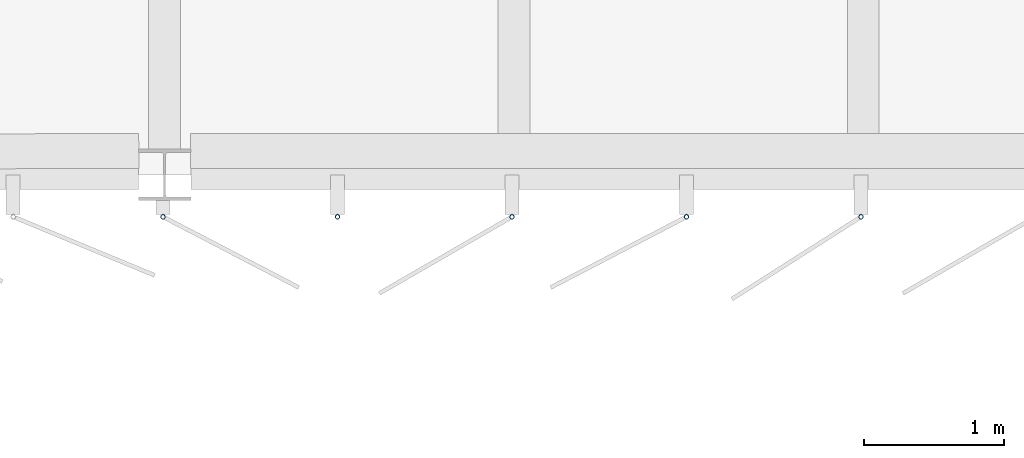
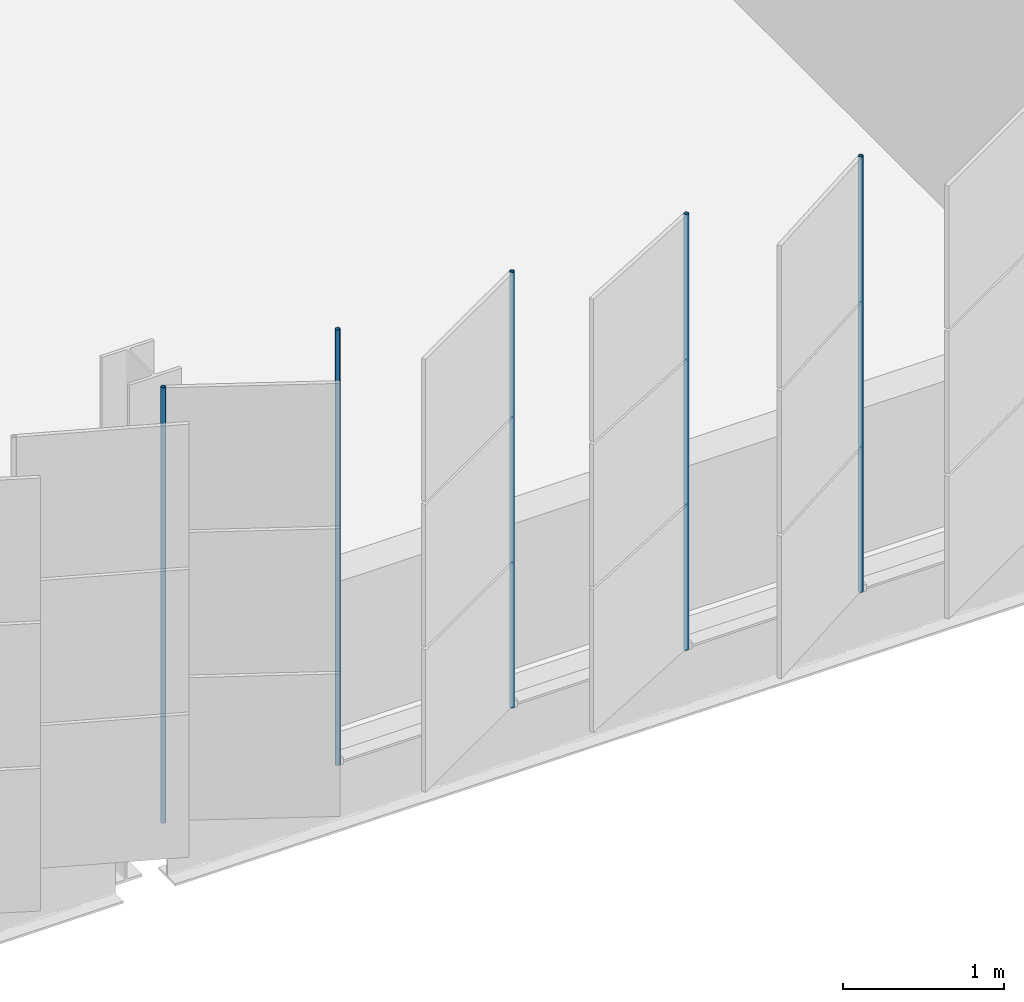
# One storey, part 77 of 199: 5 discrete accessories.
"""IFC4 building model written with IfcOpenShell, lengths in metres."""

from ifc_helpers import new_model, si_unit, direction, frame, origin, origin_2d, place, context, subcontext, project, spatial, hollow_circle, extrude, material, material_profile, profile_set, type_object, element, save


model = new_model("IFC4")

# Units and contexts
model_context = context("Model", 3, precision=1e-05, world=origin(), true_north=direction((0.0, 1.0)))
body_context = subcontext(model_context, "Body", "Model", "MODEL_VIEW")
ifc_project = project(units=[si_unit("LENGTHUNIT", "METRE"), si_unit("AREAUNIT", "SQUARE_METRE"), si_unit("VOLUMEUNIT", "CUBIC_METRE"), si_unit("PLANEANGLEUNIT", "RADIAN"), si_unit("MASSUNIT", "GRAM", prefix="KILO")], contexts=[model_context])

# Site, building, storey
site_placement = place(None, origin())
site = spatial("IfcSite", under=ifc_project, at=site_placement, CompositionType="ELEMENT")
building_placement = place(site_placement, origin())
building = spatial("IfcBuilding", under=site, at=building_placement, Name="Parallax Yard Mobility Hub", CompositionType="ELEMENT")
storey_placement = place(building_placement, frame((0.0, 0.0, 9.89990234375)))
storey = spatial("IfcBuildingStorey", under=building, at=storey_placement, Name="L03", CompositionType="ELEMENT", Elevation=9.89990234375)

# Discrete accessories
ifc_material = material(Name="Steel ASTM A500 Gr C, hot-dip galvanised", Category="steel")
ifc_material_profile = material_profile(ifc_material, hollow_circle(Radius=0.016845703125, WallThickness=0.003173828125, at=origin_2d()), Name="CHS 33.7x3.2")
ifc_profile_set = profile_set([ifc_material_profile], Name="Steel ASTM A500 Gr C, hot-dip galvanised")
discrete_accessory_type = type_object("IfcDiscreteAccessoryType", Name="Hinge post CHS 33.7x3.2", PredefinedType="BRACKET", material=ifc_profile_set)
for number, where, z_axis, x_axis, name in (
    (1, (59.9873046875, 112.199951171875, 0.0), (0.0, 0.0, 1.0), (1.0, 0.0, 0.0), "Hinge post bay 5.1 level L03"),
    (2, (61.236572265625, 112.199951171875, 0.0), (0.0, 0.0, 1.0), (1.0, 0.0, 0.0), "Hinge post bay 5.2 level L03"),
    (3, (62.48583984375, 112.199951171875, 0.0), (0.0, 0.0, 1.0), (1.0, 0.0, 0.0), "Hinge post bay 5.3 level L03"),
    (4, (63.735107421875, 112.199951171875, 0.0), (0.0, 0.0, 1.0), (1.0, 0.0, 0.0), "Hinge post bay 5.4 level L03"),
    (5, (64.984375, 112.199951171875, 0.0), (0.0, 0.0, 1.0), (1.0, 0.0, 0.0), "Hinge post bay 5.5 level L03"),
):
    element("IfcDiscreteAccessory", number, at=place(storey_placement, frame(where, z_axis=z_axis, x_axis=x_axis)), inside=storey, type_object=discrete_accessory_type, Name=name, PredefinedType="BRACKET", context=body_context, shape_type="SweptSolid", body=[
        extrude(hollow_circle(Radius=0.016845703125, WallThickness=0.003173828125, at=origin_2d()), origin(), (0.0, 0.0, 1.0), 3.300048828125),
    ])

save(model, "model.ifc")
